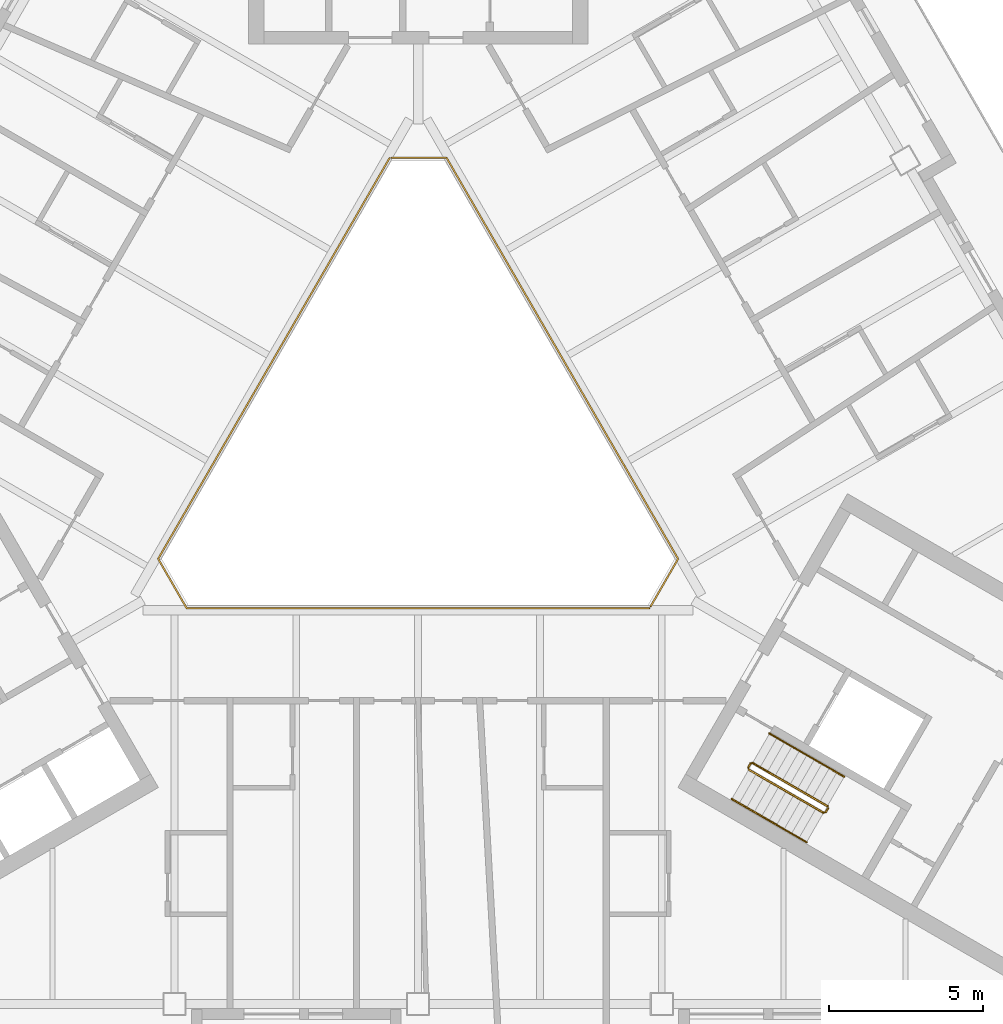
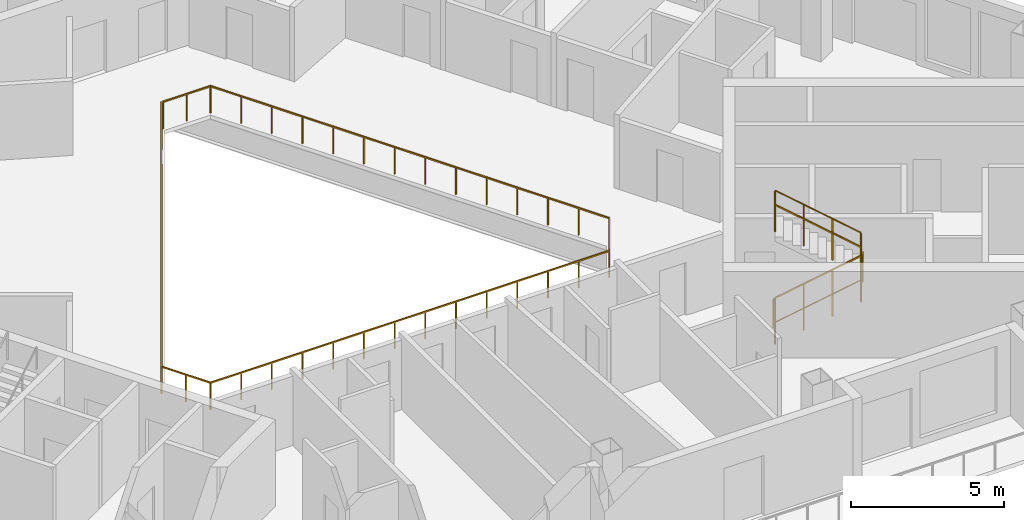
# One storey, part 12 of 14: 8 railings.
"""IFC4 building model written with IfcOpenShell, lengths in metres."""

from ifc_helpers import new_model, si_unit, direction, frame, origin, origin_2d, place, context, subcontext, project, spatial, rectangle, circle, extrude, material, type_object, element, save


model = new_model("IFC4")

# Units and contexts
model_context = context("Model", 3, precision=1e-05, world=origin(), true_north=direction((0.0, 1.0)))
body_context = subcontext(model_context, "Body", "Model", "MODEL_VIEW")
ifc_project = project(units=[si_unit("LENGTHUNIT", "METRE"), si_unit("AREAUNIT", "SQUARE_METRE"), si_unit("VOLUMEUNIT", "CUBIC_METRE"), si_unit("PLANEANGLEUNIT", "RADIAN"), si_unit("MASSUNIT", "GRAM", prefix="KILO")], contexts=[model_context])

# Site, building, storey
site_placement = place(None, origin())
site = spatial("IfcSite", under=ifc_project, at=site_placement, CompositionType="ELEMENT")
building_placement = place(site_placement, origin())
building = spatial("IfcBuilding", under=site, at=building_placement, Name="Apuvela Tower Hotel", CompositionType="ELEMENT")
storey_placement = place(building_placement, frame((0.0, 0.0, 228.0)))
storey = spatial("IfcBuildingStorey", under=building, at=storey_placement, Name="L56", CompositionType="ELEMENT", Elevation=228.0)

# Railings
ifc_material_1 = material(Name="Steel S275 balustrade", Category="steel")
railing_type_1 = type_object("IfcRailingType", Name="COR-GUARD-1100", PredefinedType="GUARDRAIL", material=ifc_material_1)
railing_1_placement = place(storey_placement, frame((10.718994140625, -10.63427734375, 0.168212890625)))
element("IfcRailing", 1, at=railing_1_placement, inside=storey, type_object=railing_type_1, Name="L56 ST3 stair guard 1", PredefinedType="GUARDRAIL", context=body_context, shape_type="SweptSolid", body=[
    extrude(rectangle(XDim=0.048095703125, YDim=0.048095703125, at=origin_2d()), frame((0.0, 0.0, 1.076171875), z_axis=(0.742390482028, -0.42860119049, 0.514934356695), x_axis=(0.49998411664, 0.866034573852, 0.0)), (0.0, 0.0, 1.0), 3.26611328125),
    extrude(rectangle(XDim=0.0419921875, YDim=0.0419921875, at=origin_2d()), origin(), (0.0, 0.0, 1.0), 1.052001953125),
    extrude(rectangle(XDim=0.0419921875, YDim=0.0419921875, at=origin_2d()), frame((0.808349609375, -0.466552734375, 0.560546875)), (0.0, 0.0, 1.0), 1.052001953125),
    extrude(rectangle(XDim=0.0419921875, YDim=0.0419921875, at=origin_2d()), frame((1.616455078125, -0.933349609375, 1.121337890625)), (0.0, 0.0, 1.0), 1.052001953125),
    extrude(rectangle(XDim=0.0419921875, YDim=0.0419921875, at=origin_2d()), frame((2.4248046875, -1.39990234375, 1.681884765625)), (0.0, 0.0, 1.0), 1.052001953125),
])
railing_2_placement = place(storey_placement, frame((13.212158203125, -12.015869140625, 1.85009765625)))
element("IfcRailing", 2, at=railing_2_placement, inside=storey, type_object=railing_type_1, Name="L56 ST3 stair guard 2", PredefinedType="GUARDRAIL", context=body_context, shape_type="SweptSolid", body=[
    extrude(rectangle(XDim=0.048095703125, YDim=0.048095703125, at=origin_2d()), frame((0.0, 0.0, 1.076171875), z_axis=(0.499816412211, 0.866131372301, 0.0), x_axis=(-0.866131372301, 0.499816412211, 0.0)), (0.0, 0.0, 1.0), 0.14990234375),
    extrude(rectangle(XDim=0.0419921875, YDim=0.0419921875, at=origin_2d()), origin(), (0.0, 0.0, 1.0), 1.052001953125),
    extrude(rectangle(XDim=0.0419921875, YDim=0.0419921875, at=origin_2d()), frame((0.074951171875, 0.1298828125, 0.0)), (0.0, 0.0, 1.0), 1.052001953125),
])
railing_3_placement = place(storey_placement, frame((13.268798828125, -11.817626953125, 2.01806640625)))
element("IfcRailing", 3, at=railing_3_placement, inside=storey, type_object=railing_type_1, Name="L56 ST3 stair guard 3", PredefinedType="GUARDRAIL", context=body_context, shape_type="SweptSolid", body=[
    extrude(rectangle(XDim=0.048095703125, YDim=0.048095703125, at=origin_2d()), frame((0.0, 0.0, 1.076171875), z_axis=(-0.742390482028, 0.42860119049, 0.514934356695), x_axis=(-0.49998411664, -0.866034573852, 0.0)), (0.0, 0.0, 1.0), 3.26611328125),
    extrude(rectangle(XDim=0.0419921875, YDim=0.0419921875, at=origin_2d()), origin(), (0.0, 0.0, 1.0), 1.052001953125),
    extrude(rectangle(XDim=0.0419921875, YDim=0.0419921875, at=origin_2d()), frame((-0.808349609375, 0.466552734375, 0.560546875)), (0.0, 0.0, 1.0), 1.052001953125),
    extrude(rectangle(XDim=0.0419921875, YDim=0.0419921875, at=origin_2d()), frame((-1.616455078125, 0.933349609375, 1.121337890625)), (0.0, 0.0, 1.0), 1.052001953125),
    extrude(rectangle(XDim=0.0419921875, YDim=0.0419921875, at=origin_2d()), frame((-2.4248046875, 1.39990234375, 1.681884765625)), (0.0, 0.0, 1.0), 1.052001953125),
])
railing_4_placement = place(storey_placement, frame((10.70068359375, -10.56591796875, 0.0)))
element("IfcRailing", 4, at=railing_4_placement, inside=storey, type_object=railing_type_1, Name="L56 ST3 stair guard 4", PredefinedType="GUARDRAIL", context=body_context, shape_type="SweptSolid", body=[
    extrude(rectangle(XDim=0.048095703125, YDim=0.048095703125, at=origin_2d()), frame((0.0, 0.0, 1.076171875), z_axis=(0.499816412211, 0.866131372301, 0.0), x_axis=(-0.866131372301, 0.499816412211, 0.0)), (0.0, 0.0, 1.0), 0.14990234375),
    extrude(rectangle(XDim=0.0419921875, YDim=0.0419921875, at=origin_2d()), origin(), (0.0, 0.0, 1.0), 1.052001953125),
    extrude(rectangle(XDim=0.0419921875, YDim=0.0419921875, at=origin_2d()), frame((0.074951171875, 0.1298828125, 0.0)), (0.0, 0.0, 1.0), 1.052001953125),
])
ifc_material_2 = material(Name="Stainless steel 316 handrail", Category="steel")
railing_type_2 = type_object("IfcRailingType", Name="COR-HANDRAIL-900", PredefinedType="HANDRAIL", material=ifc_material_2)
railing_5_placement = place(storey_placement, frame((10.1689453125, -11.5869140625, 0.168212890625)))
element("IfcRailing", 5, at=railing_5_placement, inside=storey, type_object=railing_type_2, Name="L56 ST3 stair handrail 1", PredefinedType="HANDRAIL", context=body_context, shape_type="SweptSolid", body=[
    extrude(circle(Radius=0.02392578125, at=origin_2d()), frame((0.0, 0.0, 0.8759765625), z_axis=(0.742390482028, -0.42860119049, 0.514934356695), x_axis=(0.49998411664, 0.866034573852, 0.0)), (0.0, 0.0, 1.0), 3.26611328125),
    extrude(rectangle(XDim=0.0419921875, YDim=0.0419921875, at=origin_2d()), origin(), (0.0, 0.0, 1.0), 0.851806640625),
    extrude(rectangle(XDim=0.0419921875, YDim=0.0419921875, at=origin_2d()), frame((0.808349609375, -0.466552734375, 0.560546875)), (0.0, 0.0, 1.0), 0.851806640625),
    extrude(rectangle(XDim=0.0419921875, YDim=0.0419921875, at=origin_2d()), frame((1.616455078125, -0.933349609375, 1.121337890625)), (0.0, 0.0, 1.0), 0.851806640625),
    extrude(rectangle(XDim=0.0419921875, YDim=0.0419921875, at=origin_2d()), frame((2.4248046875, -1.39990234375, 1.681884765625)), (0.0, 0.0, 1.0), 0.851806640625),
])
railing_6_placement = place(storey_placement, frame((13.81884765625, -10.864990234375, 2.01806640625)))
element("IfcRailing", 6, at=railing_6_placement, inside=storey, type_object=railing_type_2, Name="L56 ST3 stair handrail 2", PredefinedType="HANDRAIL", context=body_context, shape_type="SweptSolid", body=[
    extrude(circle(Radius=0.02392578125, at=origin_2d()), frame((0.0, 0.0, 0.8759765625), z_axis=(-0.742390482028, 0.42860119049, 0.514934356695), x_axis=(-0.49998411664, -0.866034573852, 0.0)), (0.0, 0.0, 1.0), 3.26611328125),
    extrude(rectangle(XDim=0.0419921875, YDim=0.0419921875, at=origin_2d()), origin(), (0.0, 0.0, 1.0), 0.851806640625),
    extrude(rectangle(XDim=0.0419921875, YDim=0.0419921875, at=origin_2d()), frame((-0.808349609375, 0.466552734375, 0.560546875)), (0.0, 0.0, 1.0), 0.851806640625),
    extrude(rectangle(XDim=0.0419921875, YDim=0.0419921875, at=origin_2d()), frame((-1.616455078125, 0.933349609375, 1.121337890625)), (0.0, 0.0, 1.0), 0.851806640625),
    extrude(rectangle(XDim=0.0419921875, YDim=0.0419921875, at=origin_2d()), frame((-2.4248046875, 1.39990234375, 1.681884765625)), (0.0, 0.0, 1.0), 0.851806640625),
])
ifc_material_3 = material(Name="Stainless steel 316 rail with laminated glass infill", Category="steel")
railing_type_3 = type_object("IfcRailingType", Name="ENV-GUARD-1100", PredefinedType="GUARDRAIL", material=ifc_material_3)
railing_7_placement = place(storey_placement, frame((-0.923828125, 9.199951171875, 0.0)))
element("IfcRailing", 7, at=railing_7_placement, inside=storey, type_object=railing_type_3, Name="Atrium void guard A L56", PredefinedType="GUARDRAIL", context=body_context, shape_type="SweptSolid", body=[
    extrude(rectangle(XDim=0.050048828125, YDim=0.050048828125, at=origin_2d()), frame((0.0, 0.0, 1.0751953125), z_axis=(-0.499990886379, -0.866030665472, 0.0), x_axis=(0.866030665472, -0.499990886379, 0.0)), (0.0, 0.0, 1.0), 15.010986328125),
    extrude(rectangle(XDim=0.050048828125, YDim=0.050048828125, at=origin_2d()), frame((-7.50537109375, -13.0, 1.0751953125), z_axis=(0.499962699187, -0.866046938348, 0.0), x_axis=(0.866046938348, 0.499962699187, 0.0)), (0.0, 0.0, 1.0), 1.847412109375),
    extrude(rectangle(XDim=0.050048828125, YDim=0.050048828125, at=origin_2d()), frame((-6.581787109375, -14.599853515625, 1.0751953125), z_axis=(1.0, 0.0, 0.0), x_axis=(0.0, 1.0, 0.0)), (0.0, 0.0, 1.0), 15.01123046875),
    extrude(rectangle(XDim=0.0400390625, YDim=0.0400390625, at=origin_2d()), origin(), (0.0, 0.0, 1.0), 1.050048828125),
    extrude(rectangle(XDim=0.0400390625, YDim=0.0400390625, at=origin_2d()), frame((-0.577392578125, -1.0, 0.0)), (0.0, 0.0, 1.0), 1.050048828125),
    extrude(rectangle(XDim=0.0400390625, YDim=0.0400390625, at=origin_2d()), frame((-1.15478515625, -2.0, 0.0)), (0.0, 0.0, 1.0), 1.050048828125),
    extrude(rectangle(XDim=0.0400390625, YDim=0.0400390625, at=origin_2d()), frame((-1.73193359375, -3.0, 0.0)), (0.0, 0.0, 1.0), 1.050048828125),
    extrude(rectangle(XDim=0.0400390625, YDim=0.0400390625, at=origin_2d()), frame((-2.309326171875, -4.0, 0.0)), (0.0, 0.0, 1.0), 1.050048828125),
    extrude(rectangle(XDim=0.0400390625, YDim=0.0400390625, at=origin_2d()), frame((-2.88671875, -5.0, 0.0)), (0.0, 0.0, 1.0), 1.050048828125),
    extrude(rectangle(XDim=0.0400390625, YDim=0.0400390625, at=origin_2d()), frame((-3.464111328125, -6.0, 0.0)), (0.0, 0.0, 1.0), 1.050048828125),
    extrude(rectangle(XDim=0.0400390625, YDim=0.0400390625, at=origin_2d()), frame((-4.041259765625, -7.0, 0.0)), (0.0, 0.0, 1.0), 1.050048828125),
    extrude(rectangle(XDim=0.0400390625, YDim=0.0400390625, at=origin_2d()), frame((-4.61865234375, -8.0, 0.0)), (0.0, 0.0, 1.0), 1.050048828125),
    extrude(rectangle(XDim=0.0400390625, YDim=0.0400390625, at=origin_2d()), frame((-5.196044921875, -9.0, 0.0)), (0.0, 0.0, 1.0), 1.050048828125),
    extrude(rectangle(XDim=0.0400390625, YDim=0.0400390625, at=origin_2d()), frame((-5.7734375, -10.0, 0.0)), (0.0, 0.0, 1.0), 1.050048828125),
    extrude(rectangle(XDim=0.0400390625, YDim=0.0400390625, at=origin_2d()), frame((-6.3505859375, -11.0, 0.0)), (0.0, 0.0, 1.0), 1.050048828125),
    extrude(rectangle(XDim=0.0400390625, YDim=0.0400390625, at=origin_2d()), frame((-6.927978515625, -12.0, 0.0)), (0.0, 0.0, 1.0), 1.050048828125),
    extrude(rectangle(XDim=0.0400390625, YDim=0.0400390625, at=origin_2d()), frame((-7.50537109375, -13.0, 0.0)), (0.0, 0.0, 1.0), 1.050048828125),
    extrude(rectangle(XDim=0.0400390625, YDim=0.0400390625, at=origin_2d()), frame((-7.04345703125, -13.7998046875, 0.0)), (0.0, 0.0, 1.0), 1.050048828125),
    extrude(rectangle(XDim=0.0400390625, YDim=0.0400390625, at=origin_2d()), frame((-6.581787109375, -14.599853515625, 0.0)), (0.0, 0.0, 1.0), 1.050048828125),
    extrude(rectangle(XDim=0.0400390625, YDim=0.0400390625, at=origin_2d()), frame((-5.427001953125, -14.599853515625, 0.0)), (0.0, 0.0, 1.0), 1.050048828125),
    extrude(rectangle(XDim=0.0400390625, YDim=0.0400390625, at=origin_2d()), frame((-4.2724609375, -14.599853515625, 0.0)), (0.0, 0.0, 1.0), 1.050048828125),
    extrude(rectangle(XDim=0.0400390625, YDim=0.0400390625, at=origin_2d()), frame((-3.11767578125, -14.599853515625, 0.0)), (0.0, 0.0, 1.0), 1.050048828125),
    extrude(rectangle(XDim=0.0400390625, YDim=0.0400390625, at=origin_2d()), frame((-1.962890625, -14.599853515625, 0.0)), (0.0, 0.0, 1.0), 1.050048828125),
    extrude(rectangle(XDim=0.0400390625, YDim=0.0400390625, at=origin_2d()), frame((-0.808349609375, -14.599853515625, 0.0)), (0.0, 0.0, 1.0), 1.050048828125),
    extrude(rectangle(XDim=0.0400390625, YDim=0.0400390625, at=origin_2d()), frame((0.346435546875, -14.599853515625, 0.0)), (0.0, 0.0, 1.0), 1.050048828125),
    extrude(rectangle(XDim=0.0400390625, YDim=0.0400390625, at=origin_2d()), frame((1.501220703125, -14.599853515625, 0.0)), (0.0, 0.0, 1.0), 1.050048828125),
    extrude(rectangle(XDim=0.0400390625, YDim=0.0400390625, at=origin_2d()), frame((2.656005859375, -14.599853515625, 0.0)), (0.0, 0.0, 1.0), 1.050048828125),
    extrude(rectangle(XDim=0.0400390625, YDim=0.0400390625, at=origin_2d()), frame((3.810546875, -14.599853515625, 0.0)), (0.0, 0.0, 1.0), 1.050048828125),
    extrude(rectangle(XDim=0.0400390625, YDim=0.0400390625, at=origin_2d()), frame((4.96533203125, -14.599853515625, 0.0)), (0.0, 0.0, 1.0), 1.050048828125),
    extrude(rectangle(XDim=0.0400390625, YDim=0.0400390625, at=origin_2d()), frame((6.1201171875, -14.599853515625, 0.0)), (0.0, 0.0, 1.0), 1.050048828125),
    extrude(rectangle(XDim=0.0400390625, YDim=0.0400390625, at=origin_2d()), frame((7.274658203125, -14.599853515625, 0.0)), (0.0, 0.0, 1.0), 1.050048828125),
    extrude(rectangle(XDim=0.0400390625, YDim=0.0400390625, at=origin_2d()), frame((8.429443359375, -14.599853515625, 0.0)), (0.0, 0.0, 1.0), 1.050048828125),
])
railing_8_placement = place(storey_placement, frame((7.53564453125, -5.347900390625, 0.0)))
element("IfcRailing", 8, at=railing_8_placement, inside=storey, type_object=railing_type_3, Name="Atrium void guard B L56", PredefinedType="GUARDRAIL", context=body_context, shape_type="SweptSolid", body=[
    extrude(rectangle(XDim=0.050048828125, YDim=0.050048828125, at=origin_2d()), frame((0.0, 0.0, 1.0751953125), z_axis=(0.499958946799, 0.866049104564, 0.0), x_axis=(-0.866049104564, 0.499958946799, 0.0)), (0.0, 0.0, 1.0), 1.787353515625),
    extrude(rectangle(XDim=0.050048828125, YDim=0.050048828125, at=origin_2d()), frame((0.8935546875, 1.5478515625, 1.0751953125), z_axis=(-0.499990886379, 0.866030665472, 0.0), x_axis=(-0.866030665472, -0.499990886379, 0.0)), (0.0, 0.0, 1.0), 15.010986328125),
    extrude(rectangle(XDim=0.050048828125, YDim=0.050048828125, at=origin_2d()), frame((-6.61181640625, 14.5478515625, 1.0751953125), z_axis=(-1.0, 0.0, 0.0), x_axis=(0.0, -1.0, 0.0)), (0.0, 0.0, 1.0), 1.78759765625),
    extrude(rectangle(XDim=0.0400390625, YDim=0.0400390625, at=origin_2d()), origin(), (0.0, 0.0, 1.0), 1.050048828125),
    extrude(rectangle(XDim=0.0400390625, YDim=0.0400390625, at=origin_2d()), frame((0.44677734375, 0.77392578125, 0.0)), (0.0, 0.0, 1.0), 1.050048828125),
    extrude(rectangle(XDim=0.0400390625, YDim=0.0400390625, at=origin_2d()), frame((0.8935546875, 1.5478515625, 0.0)), (0.0, 0.0, 1.0), 1.050048828125),
    extrude(rectangle(XDim=0.0400390625, YDim=0.0400390625, at=origin_2d()), frame((0.316162109375, 2.5478515625, 0.0)), (0.0, 0.0, 1.0), 1.050048828125),
    extrude(rectangle(XDim=0.0400390625, YDim=0.0400390625, at=origin_2d()), frame((-0.26123046875, 3.5478515625, 0.0)), (0.0, 0.0, 1.0), 1.050048828125),
    extrude(rectangle(XDim=0.0400390625, YDim=0.0400390625, at=origin_2d()), frame((-0.83837890625, 4.5478515625, 0.0)), (0.0, 0.0, 1.0), 1.050048828125),
    extrude(rectangle(XDim=0.0400390625, YDim=0.0400390625, at=origin_2d()), frame((-1.415771484375, 5.5478515625, 0.0)), (0.0, 0.0, 1.0), 1.050048828125),
    extrude(rectangle(XDim=0.0400390625, YDim=0.0400390625, at=origin_2d()), frame((-1.9931640625, 6.5478515625, 0.0)), (0.0, 0.0, 1.0), 1.050048828125),
    extrude(rectangle(XDim=0.0400390625, YDim=0.0400390625, at=origin_2d()), frame((-2.570556640625, 7.5478515625, 0.0)), (0.0, 0.0, 1.0), 1.050048828125),
    extrude(rectangle(XDim=0.0400390625, YDim=0.0400390625, at=origin_2d()), frame((-3.147705078125, 8.5478515625, 0.0)), (0.0, 0.0, 1.0), 1.050048828125),
    extrude(rectangle(XDim=0.0400390625, YDim=0.0400390625, at=origin_2d()), frame((-3.72509765625, 9.5478515625, 0.0)), (0.0, 0.0, 1.0), 1.050048828125),
    extrude(rectangle(XDim=0.0400390625, YDim=0.0400390625, at=origin_2d()), frame((-4.302490234375, 10.5478515625, 0.0)), (0.0, 0.0, 1.0), 1.050048828125),
    extrude(rectangle(XDim=0.0400390625, YDim=0.0400390625, at=origin_2d()), frame((-4.8798828125, 11.5478515625, 0.0)), (0.0, 0.0, 1.0), 1.050048828125),
    extrude(rectangle(XDim=0.0400390625, YDim=0.0400390625, at=origin_2d()), frame((-5.45703125, 12.5478515625, 0.0)), (0.0, 0.0, 1.0), 1.050048828125),
    extrude(rectangle(XDim=0.0400390625, YDim=0.0400390625, at=origin_2d()), frame((-6.034423828125, 13.5478515625, 0.0)), (0.0, 0.0, 1.0), 1.050048828125),
    extrude(rectangle(XDim=0.0400390625, YDim=0.0400390625, at=origin_2d()), frame((-6.61181640625, 14.5478515625, 0.0)), (0.0, 0.0, 1.0), 1.050048828125),
    extrude(rectangle(XDim=0.0400390625, YDim=0.0400390625, at=origin_2d()), frame((-7.505615234375, 14.5478515625, 0.0)), (0.0, 0.0, 1.0), 1.050048828125),
    extrude(rectangle(XDim=0.0400390625, YDim=0.0400390625, at=origin_2d()), frame((-8.3994140625, 14.5478515625, 0.0)), (0.0, 0.0, 1.0), 1.050048828125),
])

save(model, "model.ifc")
